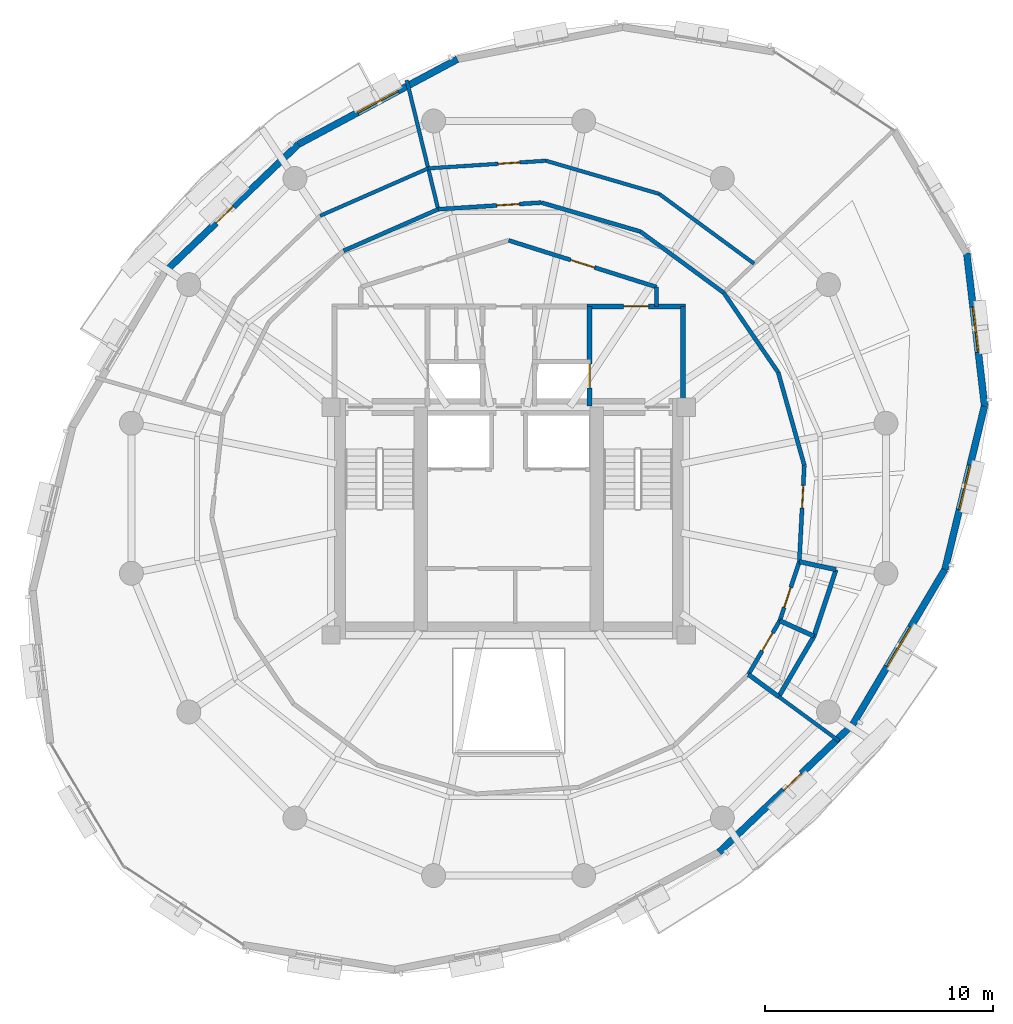
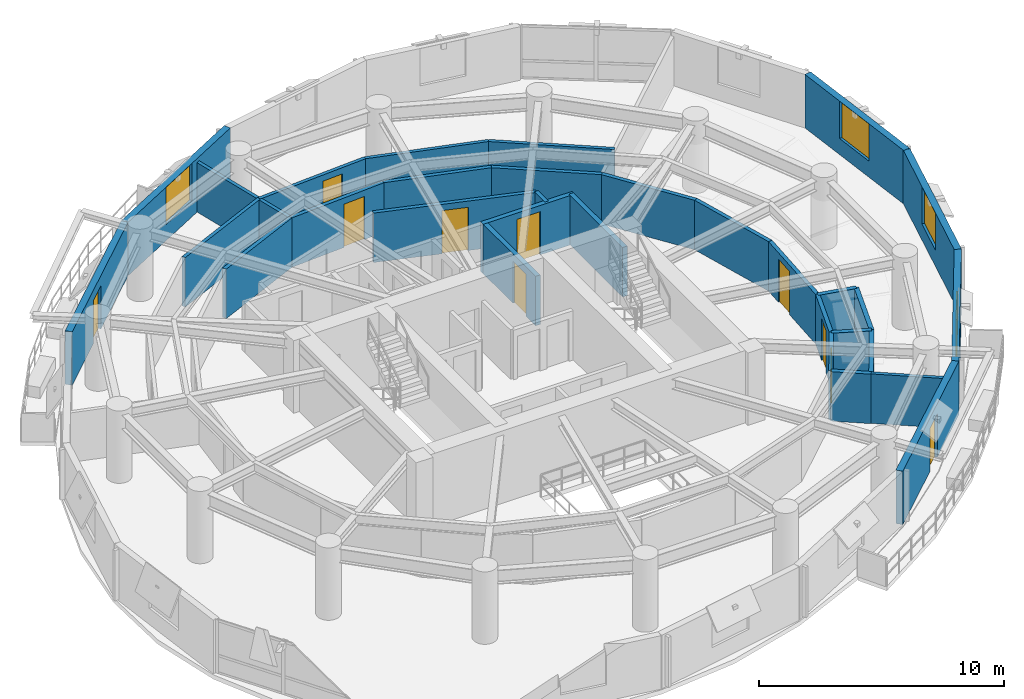
# One storey, part 9 of 12: 31 walls, 10 doors, 4 windows, 14 openings.
"""IFC4 building model written with IfcOpenShell, lengths in metres."""

import ifcopenshell
import ifcopenshell.guid

model = None  # the IFC model being written
_history = None  # IfcOwnerHistory: only IFC2X3 demands one
_inside = {}  # id of a spatial element -> (the spatial element, [elements in it])
_under = {}  # id of a project, library or spatial element -> (it, [spatial elements below it])
_declared = {}  # id of a project -> (the project, [libraries it declares])
_typed = {}  # id of a type object -> (the type object, [elements of that type])
_made_of = {}  # id of a material, layer set ... -> (it, [elements and type objects made of it])


def new_model(schema):
    """Start an empty IFC model of exactly this schema.

    Asked for "IFC4X3", IfcOpenShell would pick the latest addendum, in which some entities
    have other attributes; the version numbers below select the first issue.
    IFC2X3 requires an IfcOwnerHistory on every rooted entity: one is made here for all.
    """
    global model, _history
    if schema == "IFC4X3":
        model = ifcopenshell.file(schema_version=(4, 3, 0, 0))
    else:
        model = ifcopenshell.file(schema=schema)
    _inside.clear()
    _under.clear()
    _declared.clear()
    _typed.clear()
    _made_of.clear()
    _history = None
    if model.schema == "IFC2X3":
        org = make("IfcOrganization", Name="unknown")
        user = make(
            "IfcPersonAndOrganization",
            ThePerson=make("IfcPerson", FamilyName="unknown"),
            TheOrganization=org,
        )
        app = make(
            "IfcApplication",
            ApplicationDeveloper=org,
            Version="unknown",
            ApplicationFullName="unknown",
            ApplicationIdentifier="unknown",
        )
        _history = make(
            "IfcOwnerHistory",
            OwningUser=user,
            OwningApplication=app,
            ChangeAction="ADDED",
            CreationDate=0,
        )
    return model


def make(cls, **values):
    """One entity of the class cls with the attributes given. An attribute that is None is left unset."""
    return model.create_entity(
        cls, **{name: value for name, value in values.items() if value is not None}
    )


def rooted(cls, **values):
    """An entity with a GlobalId (a new one), such as an element, a storey or a relation."""
    return make(cls, GlobalId=ifcopenshell.guid.new(), OwnerHistory=_history, **values)


def si_unit(unit_type, name, prefix=None):
    """IfcSIUnit, for example si_unit("LENGTHUNIT", "METRE", prefix="MILLI")."""
    return make("IfcSIUnit", UnitType=unit_type, Prefix=prefix, Name=name)


def assignment(units):
    """IfcUnitAssignment: the units of a project."""
    return None if units is None else make("IfcUnitAssignment", Units=units)


def point(xyz):
    """IfcCartesianPoint."""
    return None if xyz is None else make("IfcCartesianPoint", Coordinates=xyz)


def direction(xyz):
    """IfcDirection."""
    return None if xyz is None else make("IfcDirection", DirectionRatios=xyz)


def frame(location, z_axis=None, x_axis=None):
    """IfcAxis2Placement3D, a coordinate frame: its origin and axes. An axis left out is left unset."""
    return make(
        "IfcAxis2Placement3D",
        Location=point(location),
        Axis=direction(z_axis),
        RefDirection=direction(x_axis),
    )


def frame_2d(location, x_axis=None):
    """IfcAxis2Placement2D, a coordinate frame in the plane: its origin and x axis."""
    return make(
        "IfcAxis2Placement2D", Location=point(location), RefDirection=direction(x_axis)
    )


def origin():
    """The frame at (0, 0, 0) with its axes left unset."""
    return frame((0.0, 0.0, 0.0))


def place(relative_to, where):
    """IfcLocalPlacement: puts the frame where relative to a parent placement (None: the world)."""
    return make(
        "IfcLocalPlacement", PlacementRelTo=relative_to, RelativePlacement=where
    )


def context(
    kind, dimensions, precision=None, world=None, true_north=None, identifier=None
):
    """IfcGeometricRepresentationContext, for example the 3D "Model" context."""
    return make(
        "IfcGeometricRepresentationContext",
        ContextIdentifier=identifier,
        ContextType=kind,
        CoordinateSpaceDimension=dimensions,
        Precision=precision,
        WorldCoordinateSystem=world,
        TrueNorth=true_north,
    )


def subcontext(parent, identifier, kind, view, scale=None):
    """IfcGeometricRepresentationSubContext, for example "Body" below "Model"."""
    return make(
        "IfcGeometricRepresentationSubContext",
        ContextIdentifier=identifier,
        ContextType=kind,
        ParentContext=parent,
        TargetScale=scale,
        TargetView=view,
    )


def project(units=None, contexts=None):
    """IfcProject with its units and contexts."""
    return rooted(
        "IfcProject",
        Name="project",
        RepresentationContexts=contexts,
        UnitsInContext=assignment(units),
    )


def spatial(cls, under=None, at=None, **own):
    """A site, building, storey or space (cls), placed at a placement, below another one or the project."""
    s = rooted(cls, ObjectPlacement=at, **own)
    if under is not None:
        _under.setdefault(under.id(), (under, []))[1].append(s)
    return s


def profile(cls, at=None, kind="AREA", **sizes):
    """A parametric profile (cls). Its sizes go by their IFC names, for example OverallWidth=200.0."""
    return make(cls, ProfileType=kind, Position=at, **sizes)


def rectangle(**sizes):
    """IfcRectangleProfileDef."""
    return profile("IfcRectangleProfileDef", **sizes)


def extrude(swept, where, along, depth):
    """IfcExtrudedAreaSolid: the profile swept, set in the frame where, extruded along a direction by depth."""
    return make(
        "IfcExtrudedAreaSolid",
        SweptArea=swept,
        Position=where,
        ExtrudedDirection=direction(along),
        Depth=depth,
    )


def shape(context_of_items, identifier, shape_type, items):
    """IfcShapeRepresentation: the items that make up one representation, for example the "Body"."""
    return make(
        "IfcShapeRepresentation",
        ContextOfItems=context_of_items,
        RepresentationIdentifier=identifier,
        RepresentationType=shape_type,
        Items=items,
    )


def material(Name=None, Category=None):
    """IfcMaterial."""
    return make("IfcMaterial", Name=Name, Category=Category)


def layer(
    of_material, thickness, ventilated=None, Name=None, Category=None, Priority=None
):
    """IfcMaterialLayer: one layer of a wall or slab, of a material (None: an air gap)."""
    return make(
        "IfcMaterialLayer",
        Material=of_material,
        LayerThickness=thickness,
        IsVentilated=ventilated,
        Name=Name,
        Category=Category,
        Priority=Priority,
    )


def layer_set(layers, Name=None):
    """IfcMaterialLayerSet."""
    return make("IfcMaterialLayerSet", MaterialLayers=layers, LayerSetName=Name)


def made_of(thing, what):
    """Note that an element or type object is made of a material, layer set ...; save() writes the relation."""
    if what is not None:
        _made_of.setdefault(what.id(), (what, []))[1].append(thing)
    return thing


def type_object(cls, material=None, **own):
    """A type object (cls), such as IfcWallType, which elements share."""
    return made_of(rooted(cls, **own), material)


def element(
    cls,
    number,
    at=None,
    inside=None,
    cuts=None,
    type_object=None,
    material=None,
    context=None,
    identifier="Body",
    shape_type=None,
    held_by="IfcProductDefinitionShape",
    body=None,
    shapes=None,
    **own,
):
    """One element of the class cls, such as IfcWall. Its Tag is "e" and its number.

    at: its placement. inside: the storey or other place that contains it. cuts: it is an
    opening in that element (IfcRelVoidsElement). A single representation is given by context,
    identifier, shape_type and body (its items); several are given by shapes. held_by: the class
    of the entity that holds the representations. save() writes the other relations.
    """
    e = rooted(cls, Tag="e%d" % number, ObjectPlacement=at, **own)
    if body is not None:
        shapes = [shape(context, identifier, shape_type, body)]
    if shapes is not None:
        e.Representation = make(held_by, Representations=shapes)
    if inside is not None:
        _inside.setdefault(inside.id(), (inside, []))[1].append(e)
    if cuts is not None:
        rooted(
            "IfcRelVoidsElement", RelatingBuildingElement=cuts, RelatedOpeningElement=e
        )
    if type_object is not None:
        _typed.setdefault(type_object.id(), (type_object, []))[1].append(e)
    return made_of(e, material)


def fill(opening, filler):
    """IfcRelFillsElement: the door or window that sits in an opening."""
    return rooted(
        "IfcRelFillsElement",
        RelatingOpeningElement=opening,
        RelatedBuildingElement=filler,
    )


def aggregate(whole, parts):
    """IfcRelAggregates: a whole, such as a stair, and the parts it consists of."""
    return rooted("IfcRelAggregates", RelatingObject=whole, RelatedObjects=parts)


def save(model, path):
    """Write the relations noted so far, then the file.

    IfcRelAggregates (storeys below a building ...), IfcRelContainedInSpatialStructure (elements
    in a storey), IfcRelDefinesByType, IfcRelAssociatesMaterial and IfcRelDeclares: one each for
    every whole, place, type object, material and project.
    """
    for whole, parts in _under.values():
        aggregate(whole, parts)
    for where, things in _inside.values():
        rooted(
            "IfcRelContainedInSpatialStructure",
            RelatedElements=things,
            RelatingStructure=where,
        )
    for kind, things in _typed.values():
        rooted("IfcRelDefinesByType", RelatedObjects=things, RelatingType=kind)
    for what, things in _made_of.values():
        rooted("IfcRelAssociatesMaterial", RelatedObjects=things, RelatingMaterial=what)
    for by, libraries in _declared.values():
        rooted("IfcRelDeclares", RelatingContext=by, RelatedDefinitions=libraries)
    model.write(path)


model = new_model("IFC4")

# Units and contexts
model_context = context("Model", 3, precision=1e-05, world=origin(), true_north=direction((0.0, 1.0)))
body_context = subcontext(model_context, "Body", "Model", "MODEL_VIEW")
ifc_project = project(units=[si_unit("LENGTHUNIT", "METRE"), si_unit("AREAUNIT", "SQUARE_METRE"), si_unit("VOLUMEUNIT", "CUBIC_METRE"), si_unit("PLANEANGLEUNIT", "RADIAN"), si_unit("MASSUNIT", "GRAM", prefix="KILO"), si_unit("THERMODYNAMICTEMPERATUREUNIT", "KELVIN"), si_unit("POWERUNIT", "WATT")], contexts=[model_context])

# Site, building, storey
site_placement = place(None, origin())
site = spatial("IfcSite", under=ifc_project, at=site_placement, CompositionType="ELEMENT")
building_placement = place(site_placement, origin())
building = spatial("IfcBuilding", under=site, at=building_placement, Name="Ocrelia Relay Tower", CompositionType="ELEMENT")
storey_placement = place(building_placement, frame((0.0, 0.0, 213.199951171875)))
storey = spatial("IfcBuildingStorey", under=building, at=storey_placement, Name="L52", CompositionType="ELEMENT", Elevation=213.199951171875)

# Wall
ifc_material_1 = material(Name="Gypsum Fireboard Partition EI60", Category="gypsum")
ifc_layer_1 = layer(ifc_material_1, 0.179931640625, Name="Gypsum Fireboard Partition EI60")
ifc_layer_set_1 = layer_set([ifc_layer_1], Name="Gypsum Fireboard Partition EI60")
wall_type_1 = type_object("IfcWallType", Name="W-CORR-EI60-180", PredefinedType="PARTITIONING", material=ifc_layer_set_1)
wall_1_placement = place(storey_placement, frame((40.5, 35.280029296875, 0.0), z_axis=(0.0, 0.0, 1.0), x_axis=(0.0, -1.0, 0.0)))
element("IfcWall", 1, at=wall_1_placement, inside=storey, type_object=wall_type_1, Name="L52 Smoke Lobby East Return", PredefinedType="PARTITIONING", context=body_context, shape_type="SweptSolid", body=[
    extrude(rectangle(XDim=0.85009765625, YDim=0.179931640625, at=frame_2d((0.425048828125, 0.0))), origin(), (0.0, 0.0, 1.0), 2.4599609375),
])

# Wall, opening, door
wall_2_placement = place(storey_placement, frame((34.0, 37.330078125, 0.0), z_axis=(0.0, 0.0, 1.0), x_axis=(0.953691418528, -0.300786765376, 0.0)))
wall_2 = element("IfcWall", 2, at=wall_2_placement, inside=storey, type_object=wall_type_1, Name="L52 North Smoke Lobby E Screen Wall", PredefinedType="PARTITIONING", context=body_context, shape_type="SweptSolid", body=[
    extrude(rectangle(XDim=6.815673828125, YDim=0.179931640625, at=frame_2d((3.40771484375, 0.0))), origin(), (0.0, 0.0, 1.0), 2.4599609375),
])
opening_1_placement = place(wall_2_placement, frame((2.85791015625, 0.0, 0.0)))
opening_1 = element("IfcOpeningElement", 3, at=opening_1_placement, cuts=wall_2, Name="Opening D-FD60", PredefinedType="OPENING", context=body_context, shape_type="SweptSolid", body=[
    extrude(rectangle(XDim=1.10009765625, YDim=2.14990234375, at=frame_2d((0.550048828125, 1.074951171875))), frame((0.0, 0.10009765625, 0.0), z_axis=(0.0, -1.0, 0.0), x_axis=(1.0, 0.0, 0.0)), (0.0, 0.0, 1.0), 0.199951171875),
])
ifc_material_2 = material(Name="Timber-core 60-min acoustic fire door", Category="wood")
door_type_1 = type_object("IfcDoorType", Name="DR-LOBBY-FD60-1100", OperationType="NOTDEFINED", PredefinedType="DOOR", material=ifc_material_2)
door_1_placement = place(opening_1_placement, origin())
door_1 = element("IfcDoor", 4, at=door_1_placement, inside=storey, type_object=door_type_1, Name="L52 North Smoke Lobby E Fire Door", OperationType="SINGLE_SWING_RIGHT", OverallHeight=2.14990234375, OverallWidth=1.10009765625, PredefinedType="DOOR", context=body_context, shape_type="SweptSolid", body=[
    extrude(rectangle(XDim=1.10009765625, YDim=2.14990234375, at=frame_2d((0.550048828125, 1.074951171875))), frame((0.0, 0.02490234375, 0.0), z_axis=(0.0, -1.0, 0.0), x_axis=(1.0, 0.0, 0.0)), (0.0, 0.0, 1.0), 0.050048828125),
])
fill(opening_1, door_1)

wall_3_placement = place(storey_placement, frame((44.533447265625, 18.262451171875, 0.0), z_axis=(0.0, 0.0, 1.0), x_axis=(0.504554179898, 0.863380031937, 0.0)))
wall_3 = element("IfcWall", 5, at=wall_3_placement, inside=storey, type_object=wall_type_1, Name="L52 Staff Toilet Corridor Wall", PredefinedType="PARTITIONING", context=body_context, shape_type="SweptSolid", body=[
    extrude(rectangle(XDim=2.732421875, YDim=0.179931640625, at=frame_2d((1.3662109375, 0.0))), origin(), (0.0, 0.0, 1.0), 2.4599609375),
])
opening_2_placement = place(wall_3_placement, frame((1.196533203125, 0.0, 0.0)))
opening_2 = element("IfcOpeningElement", 6, at=opening_2_placement, cuts=wall_3, Name="Opening D-WC92", PredefinedType="OPENING", context=body_context, shape_type="SweptSolid", body=[
    extrude(rectangle(XDim=0.919921875, YDim=2.10009765625, at=frame_2d((0.4599609375, 1.050048828125))), frame((0.0, 0.10009765625, 0.0), z_axis=(0.0, -1.0, 0.0), x_axis=(1.0, 0.0, 0.0)), (0.0, 0.0, 1.0), 0.199951171875),
])
ifc_material_3 = material(Name="Laminate washroom door", Category="wood")
door_type_2 = type_object("IfcDoorType", Name="DR-WC-920", OperationType="NOTDEFINED", PredefinedType="DOOR", material=ifc_material_3)
door_2_placement = place(opening_2_placement, origin())
door_2 = element("IfcDoor", 7, at=door_2_placement, inside=storey, type_object=door_type_2, Name="L52 Staff Toilet Door", OperationType="SINGLE_SWING_LEFT", OverallHeight=2.10009765625, OverallWidth=0.919921875, PredefinedType="DOOR", context=body_context, shape_type="SweptSolid", body=[
    extrude(rectangle(XDim=0.919921875, YDim=2.10009765625, at=frame_2d((0.4599609375, 1.050048828125))), frame((0.0, 0.02490234375, 0.0), z_axis=(0.0, -1.0, 0.0), x_axis=(1.0, 0.0, 0.0)), (0.0, 0.0, 1.0), 0.050048828125),
])
fill(opening_2, door_2)

wall_4_placement = place(storey_placement, frame((45.912109375, 20.62158203125, 0.0), z_axis=(0.0, 0.0, 1.0), x_axis=(0.313975259938, 0.949431164512, 0.0)))
wall_4 = element("IfcWall", 8, at=wall_4_placement, inside=storey, type_object=wall_type_1, Name="L52 Accessible Toilet Corridor Wall", PredefinedType="PARTITIONING", context=body_context, shape_type="SweptSolid", body=[
    extrude(rectangle(XDim=2.732421875, YDim=0.179931640625, at=frame_2d((1.3662109375, 0.0))), origin(), (0.0, 0.0, 1.0), 2.4599609375),
])
opening_3_placement = place(wall_4_placement, frame((0.61572265625, 0.0, 0.0)))
opening_3 = element("IfcOpeningElement", 9, at=opening_3_placement, cuts=wall_4, Name="Opening D-WC92", PredefinedType="OPENING", context=body_context, shape_type="SweptSolid", body=[
    extrude(rectangle(XDim=0.919921875, YDim=2.10009765625, at=frame_2d((0.4599609375, 1.050048828125))), frame((0.0, 0.10009765625, 0.0), z_axis=(0.0, -1.0, 0.0), x_axis=(1.0, 0.0, 0.0)), (0.0, 0.0, 1.0), 0.199951171875),
])
door_3_placement = place(opening_3_placement, origin())
door_3 = element("IfcDoor", 10, at=door_3_placement, inside=storey, type_object=door_type_2, Name="L52 Accessible Toilet Door", OperationType="SINGLE_SWING_RIGHT", OverallHeight=2.10009765625, OverallWidth=0.919921875, PredefinedType="DOOR", context=body_context, shape_type="SweptSolid", body=[
    extrude(rectangle(XDim=0.919921875, YDim=2.10009765625, at=frame_2d((0.4599609375, 1.050048828125))), frame((0.0, 0.02490234375, 0.0), z_axis=(0.0, -1.0, 0.0), x_axis=(1.0, 0.0, 0.0)), (0.0, 0.0, 1.0), 0.050048828125),
])
fill(opening_3, door_3)

wall_5_placement = place(storey_placement, frame((46.77001953125, 23.2158203125, 0.0), z_axis=(0.0, 0.0, 1.0), x_axis=(0.051775905234, 0.998658728314, 0.0)))
wall_5 = element("IfcWall", 11, at=wall_5_placement, inside=storey, type_object=wall_type_1, Name="L52 Spectrum Operations Office Corridor Partition 1", PredefinedType="PARTITIONING", context=body_context, shape_type="SweptSolid", body=[
    extrude(rectangle(XDim=4.239013671875, YDim=0.179931640625, at=frame_2d((2.11962890625, 0.0))), origin(), (0.0, 0.0, 1.0), 2.4599609375),
])
opening_4_placement = place(wall_5_placement, frame((2.3544921875, 0.0, 0.0)))
opening_4 = element("IfcOpeningElement", 12, at=opening_4_placement, cuts=wall_5, Name="Opening D-RM100", PredefinedType="OPENING", context=body_context, shape_type="SweptSolid", body=[
    extrude(rectangle(XDim=1.0, YDim=2.14990234375, at=frame_2d((0.5, 1.074951171875))), frame((0.0, 0.10009765625, 0.0), z_axis=(0.0, -1.0, 0.0), x_axis=(1.0, 0.0, 0.0)), (0.0, 0.0, 1.0), 0.199951171875),
])
ifc_material_4 = material(Name="Acoustic oak veneer fire door", Category="wood")
door_type_3 = type_object("IfcDoorType", Name="DR-ROOM-FD60-1000", OperationType="NOTDEFINED", PredefinedType="DOOR", material=ifc_material_4)
door_4_placement = place(opening_4_placement, origin())
door_4 = element("IfcDoor", 13, at=door_4_placement, inside=storey, type_object=door_type_3, Name="L52 Spectrum Operations Office Entrance Door", OperationType="SINGLE_SWING_LEFT", OverallHeight=2.14990234375, OverallWidth=1.0, PredefinedType="DOOR", context=body_context, shape_type="SweptSolid", body=[
    extrude(rectangle(XDim=1.0, YDim=2.14990234375, at=frame_2d((0.5, 1.074951171875))), frame((0.0, 0.02490234375, 0.0), z_axis=(0.0, -1.0, 0.0), x_axis=(1.0, 0.0, 0.0)), (0.0, 0.0, 1.0), 0.050048828125),
])
fill(opening_4, door_4)

# Walls
wall_6_placement = place(storey_placement, frame((46.989501953125, 27.44921875, 0.0), z_axis=(0.0, 0.0, 1.0), x_axis=(-0.270603820054, 0.962690798009, 0.0)))
element("IfcWall", 14, at=wall_6_placement, inside=storey, type_object=wall_type_1, Name="L52 Spectrum Operations Office Corridor Partition 2", PredefinedType="PARTITIONING", context=body_context, shape_type="SweptSolid", body=[
    extrude(rectangle(XDim=4.239501953125, YDim=0.179931640625, at=frame_2d((2.11962890625, 0.0))), origin(), (0.0, 0.0, 1.0), 2.4599609375),
])
wall_7_placement = place(storey_placement, frame((45.84228515625, 31.530517578125, 0.0), z_axis=(0.0, 0.0, 1.0), x_axis=(-0.564496027552, 0.82543578483, 0.0)))
element("IfcWall", 15, at=wall_7_placement, inside=storey, type_object=wall_type_1, Name="L52 Spectrum Operations Office Corridor Partition 3", PredefinedType="PARTITIONING", context=body_context, shape_type="SweptSolid", body=[
    extrude(rectangle(XDim=4.2392578125, YDim=0.179931640625, at=frame_2d((2.11962890625, 0.0))), origin(), (0.0, 0.0, 1.0), 2.4599609375),
])
wall_8_placement = place(storey_placement, frame((43.44921875, 35.02978515625, 0.0), z_axis=(0.0, 0.0, 1.0), x_axis=(-0.805924234129, 0.592018689606, 0.0)))
element("IfcWall", 16, at=wall_8_placement, inside=storey, type_object=wall_type_1, Name="L52 Visitor Concierge Foyer Corridor Partition 1", PredefinedType="PARTITIONING", context=body_context, shape_type="SweptSolid", body=[
    extrude(rectangle(XDim=4.5390625, YDim=0.179931640625, at=frame_2d((2.26953125, 0.0))), origin(), (0.0, 0.0, 1.0), 2.4599609375),
])
wall_9_placement = place(storey_placement, frame((39.791015625, 37.717041015625, 0.0), z_axis=(0.0, 0.0, 1.0), x_axis=(-0.95979856343, 0.280689717726, 0.0)))
element("IfcWall", 17, at=wall_9_placement, inside=storey, type_object=wall_type_1, Name="L52 Visitor Concierge Foyer Corridor Partition 2", PredefinedType="PARTITIONING", context=body_context, shape_type="SweptSolid", body=[
    extrude(rectangle(XDim=4.539306640625, YDim=0.179931640625, at=frame_2d((2.26953125, 0.0))), origin(), (0.0, 0.0, 1.0), 2.4599609375),
])

# Wall, opening, door
wall_10_placement = place(storey_placement, frame((35.43408203125, 38.9912109375, 0.0), z_axis=(0.0, 0.0, 1.0), x_axis=(-0.997911351123, -0.064598260804, 0.0)))
wall_10 = element("IfcWall", 18, at=wall_10_placement, inside=storey, type_object=wall_type_1, Name="L52 Visitor Concierge Foyer Corridor Partition 3", PredefinedType="PARTITIONING", context=body_context, shape_type="SweptSolid", body=[
    extrude(rectangle(XDim=4.5390625, YDim=0.179931640625, at=frame_2d((2.26953125, 0.0))), origin(), (0.0, 0.0, 1.0), 2.4599609375),
])
opening_5_placement = place(wall_10_placement, frame((0.959716796875, 0.0, 0.0)))
opening_5 = element("IfcOpeningElement", 19, at=opening_5_placement, cuts=wall_10, Name="Opening D-RM100", PredefinedType="OPENING", context=body_context, shape_type="SweptSolid", body=[
    extrude(rectangle(XDim=1.0, YDim=2.14990234375, at=frame_2d((0.5, 1.074951171875))), frame((0.0, 0.10009765625, 0.0), z_axis=(0.0, -1.0, 0.0), x_axis=(1.0, 0.0, 0.0)), (0.0, 0.0, 1.0), 0.199951171875),
])
door_5_placement = place(opening_5_placement, origin())
door_5 = element("IfcDoor", 20, at=door_5_placement, inside=storey, type_object=door_type_3, Name="L52 Visitor Concierge Foyer Entrance Door", OperationType="SINGLE_SWING_RIGHT", OverallHeight=2.14990234375, OverallWidth=1.0, PredefinedType="DOOR", context=body_context, shape_type="SweptSolid", body=[
    extrude(rectangle(XDim=1.0, YDim=2.14990234375, at=frame_2d((0.5, 1.074951171875))), frame((0.0, 0.02490234375, 0.0), z_axis=(0.0, -1.0, 0.0), x_axis=(1.0, 0.0, 0.0)), (0.0, 0.0, 1.0), 0.050048828125),
])
fill(opening_5, door_5)

# Wall
wall_11_placement = place(storey_placement, frame((30.904541015625, 38.697998046875, 0.0), z_axis=(0.0, 0.0, 1.0), x_axis=(-0.915662861199, -0.401947166455, 0.0)))
element("IfcWall", 21, at=wall_11_placement, inside=storey, type_object=wall_type_1, Name="L52 Client Arrival Foyer Corridor Partition 1", PredefinedType="PARTITIONING", context=body_context, shape_type="SweptSolid", body=[
    extrude(rectangle(XDim=4.5390625, YDim=0.179931640625, at=frame_2d((2.26953125, 0.0))), origin(), (0.0, 0.0, 1.0), 2.4599609375),
])

# Wall, opening, window
ifc_material_5 = material(Name="Precast concrete C40/50 with oxide terracotta", Category="masonry")
ifc_layer_2 = layer(ifc_material_5, 0.300048828125, Name="Precast concrete C40/50 with oxide terracotta")
ifc_layer_set_2 = layer_set([ifc_layer_2], Name="Precast concrete C40/50 with oxide terracotta")
wall_type_2 = type_object("IfcWallType", Name="W-EXT-TERR-300", PredefinedType="SOLIDWALL", material=ifc_layer_set_2)
wall_12_placement = place(storey_placement, frame((31.748779296875, 45.290771484375, 0.0), z_axis=(0.0, 0.0, 1.0), x_axis=(-0.881775109683, -0.47167007107, 0.0)))
wall_12 = element("IfcWall", 22, at=wall_12_placement, inside=storey, type_object=wall_type_2, Name="L52 Oxide Terracotta Facade Wall 04", PredefinedType="SOLIDWALL", context=body_context, shape_type="SweptSolid", body=[
    extrude(rectangle(XDim=7.92724609375, YDim=0.300048828125, at=frame_2d((3.963623046875, 0.0))), origin(), (0.0, 0.0, 1.0), 2.66015625),
])
opening_6_placement = place(wall_12_placement, frame((2.964111328125, 0.0, 0.800048828125)))
opening_6 = element("IfcOpeningElement", 23, at=opening_6_placement, cuts=wall_12, Name="Opening W-03", PredefinedType="OPENING", context=body_context, shape_type="SweptSolid", body=[
    extrude(rectangle(XDim=2.0, YDim=1.85009765625, at=frame_2d((1.0, 0.925048828125))), frame((0.0, 0.16015625, 0.0), z_axis=(0.0, -1.0, 0.0), x_axis=(1.0, 0.0, 0.0)), (0.0, 0.0, 1.0), 0.320068359375),
])
ifc_material_6 = material(Name="Clear double-glazed low-E glass", Category="glass")
window_type = type_object("IfcWindowType", Name="WIN-Z3-2000x2200", PartitioningType="DOUBLE_PANEL_VERTICAL", PredefinedType="WINDOW", material=ifc_material_6)
window_1_placement = place(opening_6_placement, origin())
window_1 = element("IfcWindow", 24, at=window_1_placement, inside=storey, type_object=window_type, Name="L52 Facade Module Window 04", OverallHeight=1.85009765625, OverallWidth=2.0, PartitioningType="SINGLE_PANEL", PredefinedType="WINDOW", context=body_context, shape_type="SweptSolid", body=[
    extrude(rectangle(XDim=2.0, YDim=1.85009765625, at=frame_2d((1.0, 0.925048828125))), frame((0.0, 0.030029296875, 0.0), z_axis=(0.0, -1.0, 0.0), x_axis=(1.0, 0.0, 0.0)), (0.0, 0.0, 1.0), 0.06005859375),
])
fill(opening_6, window_1)

# Wall, opening, door
wall_13_placement = place(storey_placement, frame((24.7587890625, 41.5517578125, 0.0), z_axis=(0.0, 0.0, 1.0), x_axis=(-0.722981687911, -0.690867193421, 0.0)))
wall_13 = element("IfcWall", 25, at=wall_13_placement, inside=storey, type_object=wall_type_2, Name="L52 Oxide Terracotta Facade Wall 05", PredefinedType="SOLIDWALL", context=body_context, shape_type="SweptSolid", body=[
    extrude(rectangle(XDim=8.126708984375, YDim=0.300048828125, at=frame_2d((4.0634765625, 0.0))), origin(), (0.0, 0.0, 1.0), 2.66015625),
])
opening_7_placement = place(wall_13_placement, frame((3.949951171875, 0.0, 0.0)))
opening_7 = element("IfcOpeningElement", 26, at=opening_7_placement, cuts=wall_13, Name="Opening DB-105", PredefinedType="OPENING", context=body_context, shape_type="SweptSolid", body=[
    extrude(rectangle(XDim=1.050048828125, YDim=2.14990234375, at=frame_2d((0.52490234375, 1.074951171875))), frame((0.0, 0.16015625, 0.0), z_axis=(0.0, -1.0, 0.0), x_axis=(1.0, 0.0, 0.0)), (0.0, 0.0, 1.0), 0.320068359375),
])
ifc_material_7 = material(Name="Thermally broken aluminium and clear glass", Category="aluminium")
door_type_4 = type_object("IfcDoorType", Name="DR-BALC-1050", OperationType="NOTDEFINED", PredefinedType="DOOR", material=ifc_material_7)
door_6_placement = place(opening_7_placement, origin())
door_6 = element("IfcDoor", 27, at=door_6_placement, inside=storey, type_object=door_type_4, Name="L52 Planted Loggia Balcony Door B1", OperationType="SINGLE_SWING_LEFT", OverallHeight=2.14990234375, OverallWidth=1.050048828125, PredefinedType="DOOR", context=body_context, shape_type="SweptSolid", body=[
    extrude(rectangle(XDim=1.050048828125, YDim=2.14990234375, at=frame_2d((0.52490234375, 1.074951171875))), frame((0.0, 0.02490234375, 0.0), z_axis=(0.0, -1.0, 0.0), x_axis=(1.0, 0.0, 0.0)), (0.0, 0.0, 1.0), 0.050048828125),
])
fill(opening_7, door_6)

wall_14_placement = place(storey_placement, frame((43.2412109375, 10.4482421875, 0.0), z_axis=(0.0, 0.0, 1.0), x_axis=(0.722981687911, 0.690867193421, 0.0)))
wall_14 = element("IfcWall", 28, at=wall_14_placement, inside=storey, type_object=wall_type_2, Name="L52 Oxide Terracotta Facade Wall 14", PredefinedType="SOLIDWALL", context=body_context, shape_type="SweptSolid", body=[
    extrude(rectangle(XDim=8.126708984375, YDim=0.300048828125, at=frame_2d((4.0634765625, 0.0))), origin(), (0.0, 0.0, 1.0), 2.66015625),
])
opening_8_placement = place(wall_14_placement, frame((3.949951171875, 0.0, 0.0)))
opening_8 = element("IfcOpeningElement", 29, at=opening_8_placement, cuts=wall_14, Name="Opening DB-105", PredefinedType="OPENING", context=body_context, shape_type="SweptSolid", body=[
    extrude(rectangle(XDim=1.050048828125, YDim=2.14990234375, at=frame_2d((0.52490234375, 1.074951171875))), frame((0.0, 0.16015625, 0.0), z_axis=(0.0, -1.0, 0.0), x_axis=(1.0, 0.0, 0.0)), (0.0, 0.0, 1.0), 0.320068359375),
])
door_7_placement = place(opening_8_placement, origin())
door_7 = element("IfcDoor", 30, at=door_7_placement, inside=storey, type_object=door_type_4, Name="L52 Planted Loggia Balcony Door B2", OperationType="SINGLE_SWING_LEFT", OverallHeight=2.14990234375, OverallWidth=1.050048828125, PredefinedType="DOOR", context=body_context, shape_type="SweptSolid", body=[
    extrude(rectangle(XDim=1.050048828125, YDim=2.14990234375, at=frame_2d((0.52490234375, 1.074951171875))), frame((0.0, 0.02490234375, 0.0), z_axis=(0.0, -1.0, 0.0), x_axis=(1.0, 0.0, 0.0)), (0.0, 0.0, 1.0), 0.050048828125),
])
fill(opening_8, door_7)

# Wall, opening, window
wall_15_placement = place(storey_placement, frame((49.11669921875, 16.062744140625, 0.0), z_axis=(0.0, 0.0, 1.0), x_axis=(0.511158411117, 0.859486520397, 0.0)))
wall_15 = element("IfcWall", 31, at=wall_15_placement, inside=storey, type_object=wall_type_2, Name="L52 Oxide Terracotta Facade Wall 15", PredefinedType="SOLIDWALL", context=body_context, shape_type="SweptSolid", body=[
    extrude(rectangle(XDim=7.927001953125, YDim=0.300048828125, at=frame_2d((3.96337890625, 0.0))), origin(), (0.0, 0.0, 1.0), 2.66015625),
])
opening_9_placement = place(wall_15_placement, frame((2.964111328125, 0.0, 0.800048828125)))
opening_9 = element("IfcOpeningElement", 32, at=opening_9_placement, cuts=wall_15, Name="Opening W-03", PredefinedType="OPENING", context=body_context, shape_type="SweptSolid", body=[
    extrude(rectangle(XDim=2.0, YDim=1.85009765625, at=frame_2d((1.0, 0.925048828125))), frame((0.0, 0.16015625, 0.0), z_axis=(0.0, -1.0, 0.0), x_axis=(1.0, 0.0, 0.0)), (0.0, 0.0, 1.0), 0.320068359375),
])
window_2_placement = place(opening_9_placement, origin())
window_2 = element("IfcWindow", 33, at=window_2_placement, inside=storey, type_object=window_type, Name="L52 Facade Module Window 15", OverallHeight=1.85009765625, OverallWidth=2.0, PartitioningType="SINGLE_PANEL", PredefinedType="WINDOW", context=body_context, shape_type="SweptSolid", body=[
    extrude(rectangle(XDim=2.0, YDim=1.85009765625, at=frame_2d((1.0, 0.925048828125))), frame((0.0, 0.030029296875, 0.0), z_axis=(0.0, -1.0, 0.0), x_axis=(1.0, 0.0, 0.0)), (0.0, 0.0, 1.0), 0.06005859375),
])
fill(opening_9, window_2)

wall_16_placement = place(storey_placement, frame((53.168701171875, 22.8759765625, 0.0), z_axis=(0.0, 0.0, 1.0), x_axis=(0.235213672282, 0.971943685803, 0.0)))
wall_16 = element("IfcWall", 34, at=wall_16_placement, inside=storey, type_object=wall_type_2, Name="L52 Oxide Terracotta Facade Wall 16", PredefinedType="SOLIDWALL", context=body_context, shape_type="SweptSolid", body=[
    extrude(rectangle(XDim=7.3974609375, YDim=0.300048828125, at=frame_2d((3.69873046875, 0.0))), origin(), (0.0, 0.0, 1.0), 2.66015625),
])
opening_10_placement = place(wall_16_placement, frame((2.698974609375, 0.0, 0.800048828125)))
opening_10 = element("IfcOpeningElement", 35, at=opening_10_placement, cuts=wall_16, Name="Opening W-03", PredefinedType="OPENING", context=body_context, shape_type="SweptSolid", body=[
    extrude(rectangle(XDim=2.0, YDim=1.85009765625, at=frame_2d((1.0, 0.925048828125))), frame((0.0, 0.16015625, 0.0), z_axis=(0.0, -1.0, 0.0), x_axis=(1.0, 0.0, 0.0)), (0.0, 0.0, 1.0), 0.320068359375),
])
window_3_placement = place(opening_10_placement, origin())
window_3 = element("IfcWindow", 36, at=window_3_placement, inside=storey, type_object=window_type, Name="L52 Facade Module Window 16", OverallHeight=1.85009765625, OverallWidth=2.0, PartitioningType="SINGLE_PANEL", PredefinedType="WINDOW", context=body_context, shape_type="SweptSolid", body=[
    extrude(rectangle(XDim=2.0, YDim=1.85009765625, at=frame_2d((1.0, 0.925048828125))), frame((0.0, 0.030029296875, 0.0), z_axis=(0.0, -1.0, 0.0), x_axis=(1.0, 0.0, 0.0)), (0.0, 0.0, 1.0), 0.06005859375),
])
fill(opening_10, window_3)

wall_17_placement = place(storey_placement, frame((54.90869140625, 30.06591796875, 0.0), z_axis=(0.0, 0.0, 1.0), x_axis=(-0.1158961734, 0.993261333684, 0.0)))
wall_17 = element("IfcWall", 37, at=wall_17_placement, inside=storey, type_object=wall_type_2, Name="L52 Oxide Terracotta Facade Wall 17", PredefinedType="SOLIDWALL", context=body_context, shape_type="SweptSolid", body=[
    extrude(rectangle(XDim=6.7451171875, YDim=0.300048828125, at=frame_2d((3.37255859375, 0.0))), origin(), (0.0, 0.0, 1.0), 2.66015625),
])
opening_11_placement = place(wall_17_placement, frame((2.373046875, 0.0, 0.800048828125)))
opening_11 = element("IfcOpeningElement", 38, at=opening_11_placement, cuts=wall_17, Name="Opening W-03", PredefinedType="OPENING", context=body_context, shape_type="SweptSolid", body=[
    extrude(rectangle(XDim=2.0, YDim=1.85009765625, at=frame_2d((1.0, 0.925048828125))), frame((0.0, 0.16015625, 0.0), z_axis=(0.0, -1.0, 0.0), x_axis=(1.0, 0.0, 0.0)), (0.0, 0.0, 1.0), 0.320068359375),
])
window_4_placement = place(opening_11_placement, origin())
window_4 = element("IfcWindow", 39, at=window_4_placement, inside=storey, type_object=window_type, Name="L52 Facade Module Window 17", OverallHeight=1.85009765625, OverallWidth=2.0, PartitioningType="SINGLE_PANEL", PredefinedType="WINDOW", context=body_context, shape_type="SweptSolid", body=[
    extrude(rectangle(XDim=2.0, YDim=1.85009765625, at=frame_2d((1.0, 0.925048828125))), frame((0.0, 0.030029296875, 0.0), z_axis=(0.0, -1.0, 0.0), x_axis=(1.0, 0.0, 0.0)), (0.0, 0.0, 1.0), 0.06005859375),
])
fill(opening_11, window_4)

# Wall, opening, door
ifc_material_8 = material(Name="Concrete C50/60", Category="concrete")
ifc_layer_3 = layer(ifc_material_8, 0.219970703125, Name="Concrete C50/60")
ifc_layer_set_3 = layer_set([ifc_layer_3], Name="Concrete C50/60")
wall_type_3 = type_object("IfcWallType", Name="W-FFL-EI120-220", PredefinedType="SOLIDWALL", material=ifc_layer_set_3)
wall_18_placement = place(storey_placement, frame((37.56005859375, 30.050048828125, 0.0), z_axis=(0.0, 0.0, 1.0), x_axis=(0.0, 1.0, 0.0)))
wall_18 = element("IfcWall", 40, at=wall_18_placement, inside=storey, type_object=wall_type_3, Name="L52 E Fire Service Lift Lobby West Wall", PredefinedType="SOLIDWALL", context=body_context, shape_type="SweptSolid", body=[
    extrude(rectangle(XDim=4.3798828125, YDim=0.219970703125, at=frame_2d((2.18994140625, 0.0))), origin(), (0.0, 0.0, 1.0), 2.4599609375),
])
opening_12_placement = place(wall_18_placement, frame((0.800048828125, 0.0, 0.0)))
opening_12 = element("IfcOpeningElement", 41, at=opening_12_placement, cuts=wall_18, Name="Opening LD-FFL2", PredefinedType="OPENING", context=body_context, shape_type="SweptSolid", body=[
    extrude(rectangle(XDim=1.050048828125, YDim=2.10009765625, at=frame_2d((0.52490234375, 1.050048828125))), frame((0.0, 0.1201171875, 0.0), z_axis=(0.0, -1.0, 0.0), x_axis=(1.0, 0.0, 0.0)), (0.0, 0.0, 1.0), 0.239990234375),
])
ifc_material_9 = material(Name="Brushed stainless steel S355 lift landing door", Category="steel")
door_type_5 = type_object("IfcDoorType", Name="DR-LIFT-LAND-1050", OperationType="DOUBLE_DOOR_SLIDING", PredefinedType="USERDEFINED", material=ifc_material_9)
door_8_placement = place(opening_12_placement, origin())
door_8 = element("IfcDoor", 42, at=door_8_placement, inside=storey, type_object=door_type_5, Name="L52 Firefighting Lift FFL2 Sliding Landing Door", ObjectType="LANDING DOOR", OperationType="DOUBLE_DOOR_SLIDING", OverallHeight=2.10009765625, OverallWidth=1.050048828125, PredefinedType="USERDEFINED", context=body_context, shape_type="SweptSolid", body=[
    extrude(rectangle(XDim=1.050048828125, YDim=2.10009765625, at=frame_2d((0.52490234375, 1.050048828125))), frame((0.0, 0.02490234375, 0.0), z_axis=(0.0, -1.0, 0.0), x_axis=(1.0, 0.0, 0.0)), (0.0, 0.0, 1.0), 0.050048828125),
])
fill(opening_12, door_8)

# Wall
wall_19_placement = place(storey_placement, frame((41.64990234375, 30.050048828125, 0.0), z_axis=(0.0, 0.0, 1.0), x_axis=(0.0, 1.0, 0.0)))
element("IfcWall", 43, at=wall_19_placement, inside=storey, type_object=wall_type_3, Name="L52 E Fire Service Lift Lobby East Wall", PredefinedType="SOLIDWALL", context=body_context, shape_type="SweptSolid", body=[
    extrude(rectangle(XDim=4.3798828125, YDim=0.219970703125, at=frame_2d((2.18994140625, 0.0))), origin(), (0.0, 0.0, 1.0), 2.4599609375),
])

# Wall, opening, door
wall_20_placement = place(storey_placement, frame((37.449951171875, 34.429931640625, 0.0), z_axis=(0.0, 0.0, 1.0), x_axis=(1.0, 0.0, 0.0)))
wall_20 = element("IfcWall", 44, at=wall_20_placement, inside=storey, type_object=wall_type_3, Name="L52 E Fire Service Lift Lobby North Wall", PredefinedType="SOLIDWALL", context=body_context, shape_type="SweptSolid", body=[
    extrude(rectangle(XDim=4.31005859375, YDim=0.219970703125, at=frame_2d((2.155029296875, 0.0))), origin(), (0.0, 0.0, 1.0), 2.4599609375),
])
opening_13_placement = place(wall_20_placement, frame((1.60009765625, 0.0, 0.0)))
opening_13 = element("IfcOpeningElement", 45, at=opening_13_placement, cuts=wall_20, Name="Opening D-FD60", PredefinedType="OPENING", context=body_context, shape_type="SweptSolid", body=[
    extrude(rectangle(XDim=1.10009765625, YDim=2.14990234375, at=frame_2d((0.550048828125, 1.074951171875))), frame((0.0, 0.1201171875, 0.0), z_axis=(0.0, -1.0, 0.0), x_axis=(1.0, 0.0, 0.0)), (0.0, 0.0, 1.0), 0.239990234375),
])
door_9_placement = place(opening_13_placement, origin())
door_9 = element("IfcDoor", 46, at=door_9_placement, inside=storey, type_object=door_type_1, Name="L52 E Fire Service Lift Lobby Exit Door", OperationType="SINGLE_SWING_LEFT", OverallHeight=2.14990234375, OverallWidth=1.10009765625, PredefinedType="DOOR", context=body_context, shape_type="SweptSolid", body=[
    extrude(rectangle(XDim=1.10009765625, YDim=2.14990234375, at=frame_2d((0.550048828125, 1.074951171875))), frame((0.0, 0.02490234375, 0.0), z_axis=(0.0, -1.0, 0.0), x_axis=(1.0, 0.0, 0.0)), (0.0, 0.0, 1.0), 0.050048828125),
])
fill(opening_13, door_9)

# Walls
ifc_material_10 = material(Name="Acoustic Fireboard Partition EI60", Category="gypsum")
ifc_layer_4 = layer(ifc_material_10, 0.159912109375, Name="Acoustic Fireboard Partition EI60")
ifc_layer_set_4 = layer_set([ifc_layer_4], Name="Acoustic Fireboard Partition EI60")
wall_type_4 = type_object("IfcWallType", Name="W-PART-160", PredefinedType="PARTITIONING", material=ifc_layer_set_4)
wall_21_placement = place(storey_placement, frame((45.86328125, 17.28564453125, 0.0), z_axis=(0.0, 0.0, 1.0), x_axis=(0.805921519164, -0.592022385513, 0.0)))
element("IfcWall", 47, at=wall_21_placement, inside=storey, type_object=wall_type_4, Name="L52 Spectrum Operations Office Radial Partition", PredefinedType="PARTITIONING", context=body_context, shape_type="SweptSolid", body=[
    extrude(rectangle(XDim=3.29296875, YDim=0.159912109375, at=frame_2d((1.646484375, 0.0))), origin(), (0.0, 0.0, 1.0), 2.4599609375),
])
wall_22_placement = place(storey_placement, frame((30.904541015625, 38.697998046875, 0.0), z_axis=(0.0, 0.0, 1.0), x_axis=(-0.236843531304, 0.971547807202, 0.0)))
element("IfcWall", 48, at=wall_22_placement, inside=storey, type_object=wall_type_4, Name="L52 Visitor Concierge Foyer Radial Partition", PredefinedType="PARTITIONING", context=body_context, shape_type="SweptSolid", body=[
    extrude(rectangle(XDim=5.83740234375, YDim=0.159912109375, at=frame_2d((2.918701171875, 0.0))), origin(), (0.0, 0.0, 1.0), 2.4599609375),
])
wall_23_placement = place(storey_placement, frame((44.78662109375, 36.30810546875, 0.0), z_axis=(0.0, 0.0, 1.0), x_axis=(-0.80594787713, 0.591986502675, 0.0)))
element("IfcWall", 49, at=wall_23_placement, inside=storey, type_object=wall_type_4, Name="L52 Perimeter Visitor Concierge Foyer Mid-Ring Partition 1", PredefinedType="PARTITIONING", context=body_context, shape_type="SweptSolid", body=[
    extrude(rectangle(XDim=5.181396484375, YDim=0.159912109375, at=frame_2d((2.5908203125, 0.0))), origin(), (0.0, 0.0, 1.0), 2.4599609375),
])
wall_24_placement = place(storey_placement, frame((40.610595703125, 39.37548828125, 0.0), z_axis=(0.0, 0.0, 1.0), x_axis=(-0.959803988125, 0.280671167702, 0.0)))
element("IfcWall", 50, at=wall_24_placement, inside=storey, type_object=wall_type_4, Name="L52 Perimeter Visitor Concierge Foyer Mid-Ring Partition 2", PredefinedType="PARTITIONING", context=body_context, shape_type="SweptSolid", body=[
    extrude(rectangle(XDim=5.181640625, YDim=0.159912109375, at=frame_2d((2.5908203125, 0.0))), origin(), (0.0, 0.0, 1.0), 2.4599609375),
])

# Wall, opening, door
wall_25_placement = place(storey_placement, frame((35.63720703125, 40.829833984375, 0.0), z_axis=(0.0, 0.0, 1.0), x_axis=(-0.99791758747, -0.064501849728, 0.0)))
wall_25 = element("IfcWall", 51, at=wall_25_placement, inside=storey, type_object=wall_type_4, Name="L52 Perimeter Visitor Concierge Foyer Mid-Ring Partition 3", PredefinedType="PARTITIONING", context=body_context, shape_type="SweptSolid", body=[
    extrude(rectangle(XDim=5.181640625, YDim=0.159912109375, at=frame_2d((2.5908203125, 0.0))), origin(), (0.0, 0.0, 1.0), 2.4599609375),
])
opening_14_placement = place(wall_25_placement, frame((1.14794921875, 0.0, 0.0)))
opening_14 = element("IfcOpeningElement", 52, at=opening_14_placement, cuts=wall_25, Name="Opening D-RM95", PredefinedType="OPENING", context=body_context, shape_type="SweptSolid", body=[
    extrude(rectangle(XDim=0.949951171875, YDim=2.14990234375, at=frame_2d((0.47509765625, 1.074951171875))), frame((0.0, 0.08984375, 0.0), z_axis=(0.0, -1.0, 0.0), x_axis=(1.0, 0.0, 0.0)), (0.0, 0.0, 1.0), 0.179931640625),
])
door_type_6 = type_object("IfcDoorType", Name="DR-ROOM-950", OperationType="NOTDEFINED", PredefinedType="DOOR", material=ifc_material_4)
door_10_placement = place(opening_14_placement, origin())
door_10 = element("IfcDoor", 53, at=door_10_placement, inside=storey, type_object=door_type_6, Name="L52 Perimeter Visitor Concierge Foyer Connecting Door", OperationType="SINGLE_SWING_LEFT", OverallHeight=2.14990234375, OverallWidth=0.949951171875, PredefinedType="DOOR", context=body_context, shape_type="SweptSolid", body=[
    extrude(rectangle(XDim=0.949951171875, YDim=2.14990234375, at=frame_2d((0.47509765625, 1.074951171875))), frame((0.0, 0.02490234375, 0.0), z_axis=(0.0, -1.0, 0.0), x_axis=(1.0, 0.0, 0.0)), (0.0, 0.0, 1.0), 0.050048828125),
])
fill(opening_14, door_10)

# Walls
wall_26_placement = place(storey_placement, frame((30.46630859375, 40.49560546875, 0.0), z_axis=(0.0, 0.0, 1.0), x_axis=(-0.915661371958, -0.401950559029, 0.0)))
element("IfcWall", 54, at=wall_26_placement, inside=storey, type_object=wall_type_4, Name="L52 Perimeter Client Arrival Foyer Mid-Ring Partition 1", PredefinedType="PARTITIONING", context=body_context, shape_type="SweptSolid", body=[
    extrude(rectangle(XDim=5.181640625, YDim=0.159912109375, at=frame_2d((2.5908203125, 0.0))), origin(), (0.0, 0.0, 1.0), 2.4599609375),
])
ifc_material_11 = material(Name="Moisture-Resistant Fireboard Chase Wall EI60", Category="gypsum")
ifc_layer_5 = layer(ifc_material_11, 0.199951171875, Name="Moisture-Resistant Fireboard Chase Wall EI60")
ifc_layer_set_5 = layer_set([ifc_layer_5], Name="Moisture-Resistant Fireboard Chase Wall EI60")
wall_type_5 = type_object("IfcWallType", Name="W-PLUMB-200", PredefinedType="PLUMBINGWALL", material=ifc_layer_set_5)
for number, where, z_axis, x_axis, name in (
    (55, (44.533447265625, 18.262451171875, 0.0), (0.0, 0.0, 1.0), (0.80594376241, -0.591992104535, 0.0), "L52 Staff Toilet Plumbing Radial Wall"),
    (56, (45.912109375, 20.62158203125, 0.0), (0.0, 0.0, 1.0), (0.911367019177, -0.411594650544, 0.0), "L52 Staff Toilet Plumbing Radial Wall"),
):
    element("IfcWall", number, at=place(storey_placement, frame(where, z_axis=z_axis, x_axis=x_axis)), inside=storey, type_object=wall_type_5, Name=name, PredefinedType="PLUMBINGWALL", context=body_context, shape_type="SweptSolid", body=[
        extrude(rectangle(XDim=1.650146484375, YDim=0.199951171875, at=frame_2d((0.8251953125, 0.0))), origin(), (0.0, 0.0, 1.0), 2.4599609375),
    ])
wall_27_placement = place(storey_placement, frame((45.86328125, 17.28564453125, 0.0), z_axis=(0.0, 0.0, 1.0), x_axis=(0.504591060513, 0.863358478067, 0.0)))
element("IfcWall", 57, at=wall_27_placement, inside=storey, type_object=wall_type_5, Name="L52 Staff Toilet Back Plumbing Wall", PredefinedType="PLUMBINGWALL", context=body_context, shape_type="SweptSolid", body=[
    extrude(rectangle(XDim=3.0771484375, YDim=0.199951171875, at=frame_2d((1.53857421875, 0.0))), origin(), (0.0, 0.0, 1.0), 2.4599609375),
])
wall_28_placement = place(storey_placement, frame((46.77001953125, 23.2158203125, 0.0), z_axis=(0.0, 0.0, 1.0), x_axis=(0.97703592819, -0.21307462314, 0.0)))
element("IfcWall", 58, at=wall_28_placement, inside=storey, type_object=wall_type_5, Name="L52 Accessible Toilet Plumbing Radial Wall", PredefinedType="PLUMBINGWALL", context=body_context, shape_type="SweptSolid", body=[
    extrude(rectangle(XDim=1.64990234375, YDim=0.199951171875, at=frame_2d((0.824951171875, 0.0))), origin(), (0.0, 0.0, 1.0), 2.4599609375),
])
wall_29_placement = place(storey_placement, frame((47.416015625, 19.9423828125, 0.0), z_axis=(0.0, 0.0, 1.0), x_axis=(0.313918257241, 0.949450013308, 0.0)))
element("IfcWall", 59, at=wall_29_placement, inside=storey, type_object=wall_type_5, Name="L52 Accessible Toilet Back Plumbing Wall", PredefinedType="PLUMBINGWALL", context=body_context, shape_type="SweptSolid", body=[
    extrude(rectangle(XDim=3.077392578125, YDim=0.199951171875, at=frame_2d((1.53857421875, 0.0))), origin(), (0.0, 0.0, 1.0), 2.4599609375),
])

save(model, "model.ifc")
